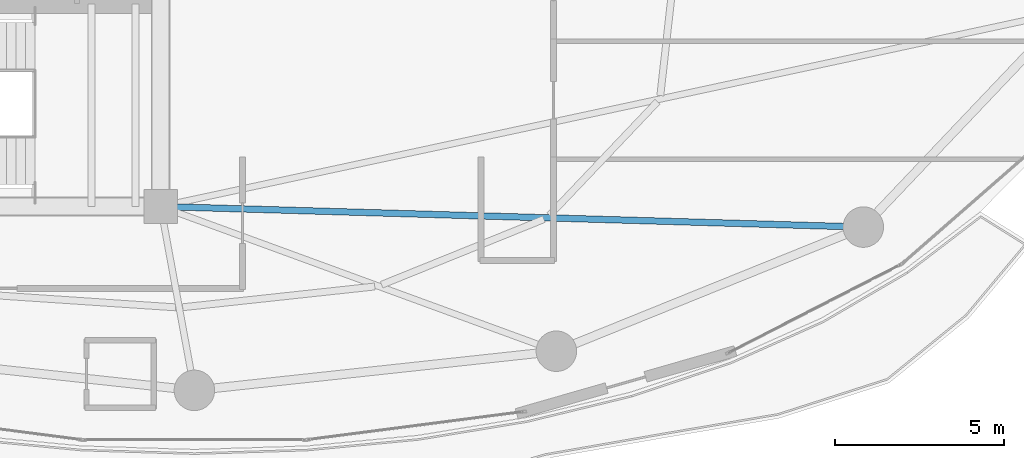
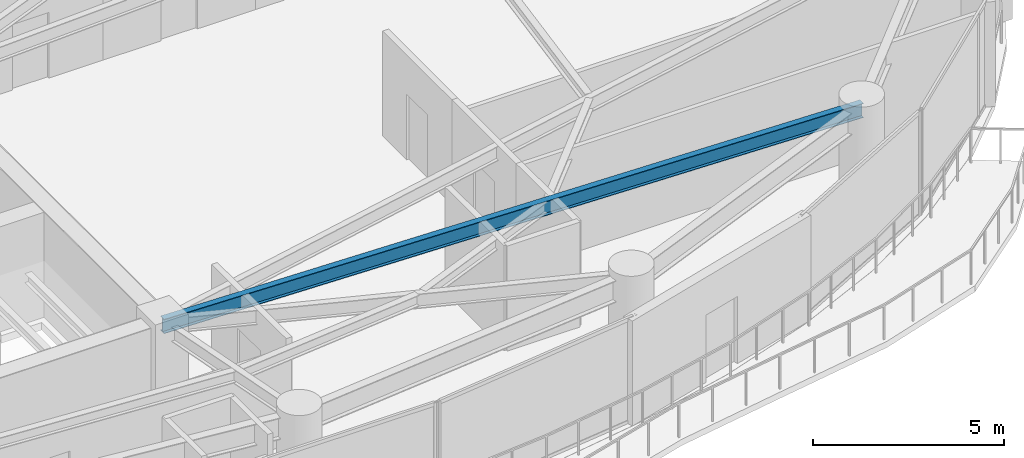
# One storey, part 10 of 30: 1 beam.
"""IFC4 building model written with IfcOpenShell, lengths in metres."""

from ifc_helpers import new_model, si_unit, direction, frame, origin, origin_2d, place, context, subcontext, project, spatial, i_section, extrude, material, material_profile, profile_set, type_object, element, save


model = new_model("IFC4")

# Units and contexts
model_context = context("Model", 3, precision=1e-05, world=origin(), true_north=direction((0.0, 1.0)))
body_context = subcontext(model_context, "Body", "Model", "MODEL_VIEW")
ifc_project = project(units=[si_unit("LENGTHUNIT", "METRE"), si_unit("AREAUNIT", "SQUARE_METRE"), si_unit("VOLUMEUNIT", "CUBIC_METRE"), si_unit("PLANEANGLEUNIT", "RADIAN"), si_unit("MASSUNIT", "GRAM", prefix="KILO")], contexts=[model_context])

# Site, building, storey
site_placement = place(None, origin())
site = spatial("IfcSite", under=ifc_project, at=site_placement, CompositionType="ELEMENT")
building_placement = place(site_placement, origin())
building = spatial("IfcBuilding", under=site, at=building_placement, Name="Kazevale Care Tower and Concert Hall", CompositionType="ELEMENT")
storey_placement = place(building_placement, frame((0.0, 0.0, 113.39990234375)))
storey = spatial("IfcBuildingStorey", under=building, at=storey_placement, Name="L29", CompositionType="ELEMENT", Elevation=113.39990234375)

# Beam
ifc_material = material(Name="Steel ASTM A572 Gr 50", Category="steel")
ifc_material_profile = material_profile(ifc_material, i_section(OverallWidth=0.19091796875, OverallDepth=0.4599609375, WebThickness=0.010009765625, FlangeThickness=0.01611328125, at=origin_2d()), Name="W460x82")
ifc_profile_set = profile_set([ifc_material_profile], Name="Steel ASTM A572 Gr 50")
beam_type = type_object("IfcBeamType", Name="Radial Floor Beam W460x82", PredefinedType="BEAM", material=ifc_profile_set)
beam_placement = place(storey_placement, frame((44.0, 23.60009765625, 3.130126953125), z_axis=(0.99957133157, -0.029277177187, 0.0), x_axis=(0.029277177187, 0.99957133157, 0.0)))
element("IfcBeam", 1, at=beam_placement, inside=storey, type_object=beam_type, Name="beam:L29:rad:15", PredefinedType="BEAM", context=body_context, shape_type="SweptSolid", body=[
    extrude(i_section(OverallWidth=0.19091796875, OverallDepth=0.4599609375, WebThickness=0.010009765625, FlangeThickness=0.01611328125, at=origin_2d()), origin(), (0.0, 0.0, 1.0), 20.839111328125),
])

save(model, "model.ifc")
